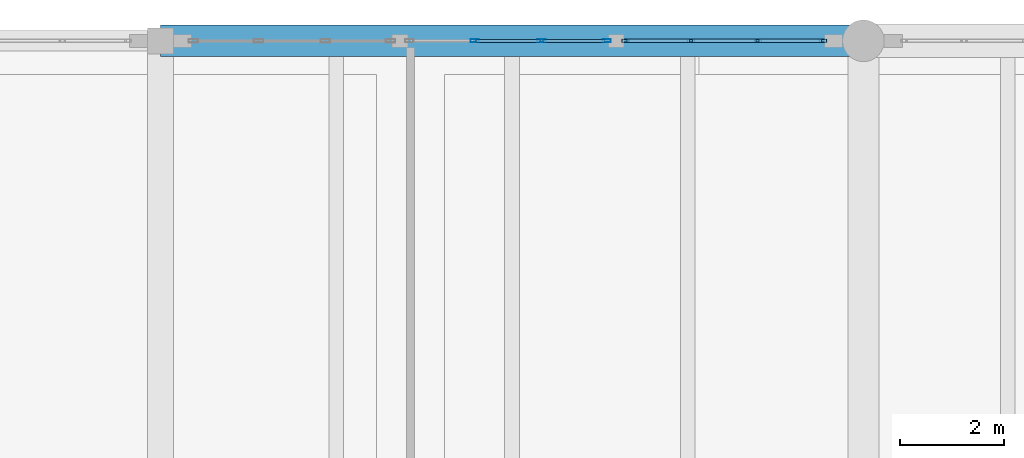
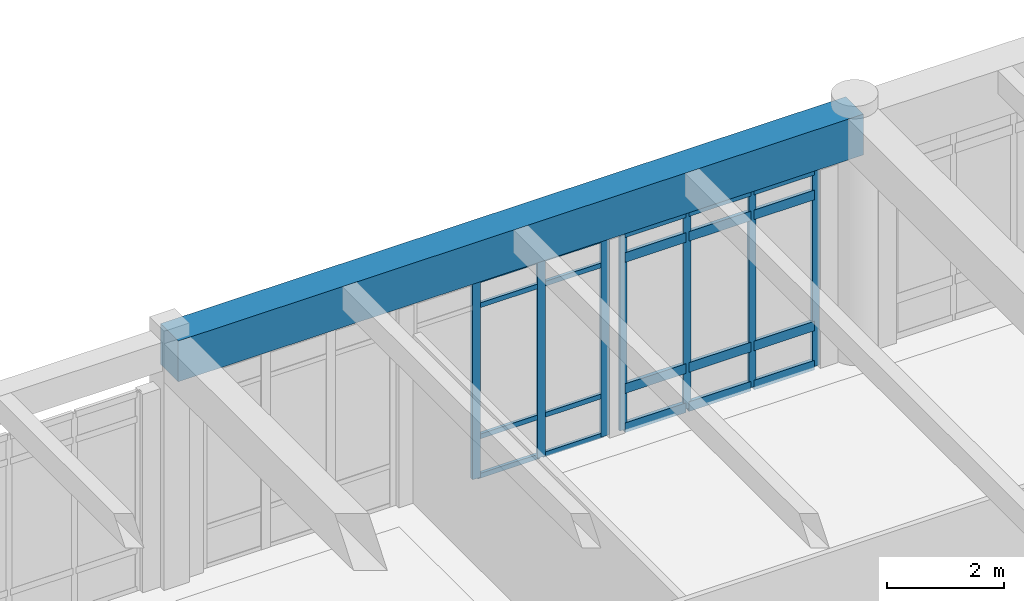
# One storey, part 62 of 138: 27 members, 1 beam, 2 elements without a shape of their own.
"""IFC4 building model written with IfcOpenShell, lengths in metres."""

from ifc_helpers import new_model, si_unit, direction, frame, origin, origin_2d, place, context, subcontext, project, spatial, rectangle, hollow_rectangle, extrude, material, layer, layer_set, material_profile, profile_set, type_object, element, aggregate, save


model = new_model("IFC4")

# Units and contexts
model_context = context("Model", 3, precision=1e-05, world=origin(), true_north=direction((0.0, 1.0)))
body_context = subcontext(model_context, "Body", "Model", "MODEL_VIEW")
ifc_project = project(units=[si_unit("LENGTHUNIT", "METRE"), si_unit("AREAUNIT", "SQUARE_METRE"), si_unit("VOLUMEUNIT", "CUBIC_METRE"), si_unit("PLANEANGLEUNIT", "RADIAN"), si_unit("MASSUNIT", "GRAM", prefix="KILO")], contexts=[model_context])

# Site, building, storey
site_placement = place(None, origin())
site = spatial("IfcSite", under=ifc_project, at=site_placement, CompositionType="ELEMENT")
building_placement = place(site_placement, origin())
building = spatial("IfcBuilding", under=site, at=building_placement, Name="Fikremerkos Civic Library", CompositionType="ELEMENT")
storey_placement = place(building_placement, origin())
storey = spatial("IfcBuildingStorey", under=building, at=storey_placement, Name="L00", CompositionType="ELEMENT", Elevation=0.0)

# Curtain wall, members
ifc_material_1 = material(Name="Anodized aluminium Frame", Category="aluminium")
ifc_layer_1 = layer(ifc_material_1, 0.159912109375, Name="Anodized aluminium Frame")
ifc_layer_set_1 = layer_set([ifc_layer_1], Name="Anodized aluminium Frame")
curtain_wall_type_1 = type_object("IfcCurtainWallType", Name="Unitised curtain wall CW-14 4100x3200", PredefinedType="USERDEFINED", material=ifc_layer_set_1)
curtain_wall_1_placement = place(storey_placement, origin())
curtain_wall_1 = element("IfcCurtainWall", 1, at=curtain_wall_1_placement, inside=storey, type_object=curtain_wall_type_1, Name="Unitised curtain wall CW-14 L00 #50", ObjectType="UNITISED CURTAIN WALL", PredefinedType="USERDEFINED")
ifc_material_profile_1 = material_profile(ifc_material_1, hollow_rectangle(XDim=0.06005859375, YDim=0.159912109375, WallThickness=0.00390625, at=origin_2d()), Name="ALU 160x60x4")
ifc_profile_set_1 = profile_set([ifc_material_profile_1], Name="Anodized aluminium Frame")
member_type_1 = type_object("IfcMemberType", Name="Curtain mullion CWM-02 ALU 160x60x4", PredefinedType="MULLION", material=ifc_profile_set_1)
member_1_placement = place(storey_placement, frame((106.233154296875, 117.60009765625, 0.0), z_axis=(0.0, 0.0, 1.0), x_axis=(0.0, 1.0, 0.0)))
member_1 = element("IfcMember", 2, at=member_1_placement, type_object=member_type_1, Name="CW-14 mullion 2", PredefinedType="MULLION", context=body_context, shape_type="SweptSolid", body=[
    extrude(hollow_rectangle(XDim=0.06005859375, YDim=0.159912109375, WallThickness=0.00390625, at=origin_2d()), origin(), (0.0, 0.0, 1.0), 4.1298828125),
])
member_2_placement = place(storey_placement, frame((107.516845703125, 117.60009765625, 0.0), z_axis=(0.0, 0.0, 1.0), x_axis=(0.0, 1.0, 0.0)))
member_2 = element("IfcMember", 3, at=member_2_placement, type_object=member_type_1, Name="CW-14 mullion 3", PredefinedType="MULLION", context=body_context, shape_type="SweptSolid", body=[
    extrude(hollow_rectangle(XDim=0.06005859375, YDim=0.159912109375, WallThickness=0.00390625, at=origin_2d()), origin(), (0.0, 0.0, 1.0), 4.1298828125),
])
member_3_placement = place(storey_placement, frame((108.770751953125, 117.60009765625, 0.0), z_axis=(0.0, 0.0, 1.0), x_axis=(0.0, 1.0, 0.0)))
member_3 = element("IfcMember", 4, at=member_3_placement, type_object=member_type_1, Name="CW-14 mullion 4", PredefinedType="MULLION", context=body_context, shape_type="SweptSolid", body=[
    extrude(hollow_rectangle(XDim=0.06005859375, YDim=0.159912109375, WallThickness=0.00390625, at=origin_2d()), origin(), (0.0, 0.0, 1.0), 4.1298828125),
])

ifc_layer_2 = layer(ifc_material_1, 0.159912109375, Name="Anodized aluminium Frame")
ifc_layer_set_2 = layer_set([ifc_layer_2], Name="Anodized aluminium Frame")
curtain_wall_type_2 = type_object("IfcCurtainWallType", Name="Unitised curtain wall CW-15 2900x3600", PredefinedType="USERDEFINED", material=ifc_layer_set_2)
curtain_wall_2_placement = place(storey_placement, origin())
curtain_wall_2 = element("IfcCurtainWall", 5, at=curtain_wall_2_placement, inside=storey, type_object=curtain_wall_type_2, Name="Unitised curtain wall CW-15 L00 #51", ObjectType="UNITISED CURTAIN WALL", PredefinedType="USERDEFINED")
ifc_material_profile_2 = material_profile(ifc_material_1, hollow_rectangle(XDim=0.06005859375, YDim=0.139892578125, WallThickness=0.00390625, at=origin_2d()), Name="ALU 140x60x4")
ifc_profile_set_2 = profile_set([ifc_material_profile_2], Name="Anodized aluminium Frame")
member_type_2 = type_object("IfcMemberType", Name="Curtain mullion CWM-03 ALU 140x60x4", PredefinedType="MULLION", material=ifc_profile_set_2)
member_4_placement = place(storey_placement, frame((109.130615234375, 117.60009765625, 0.0), z_axis=(0.0, 0.0, 1.0), x_axis=(0.0, 1.0, 0.0)))
member_4 = element("IfcMember", 6, at=member_4_placement, type_object=member_type_2, Name="CW-15 mullion 1", PredefinedType="MULLION", context=body_context, shape_type="SweptSolid", body=[
    extrude(hollow_rectangle(XDim=0.06005859375, YDim=0.139892578125, WallThickness=0.00390625, at=origin_2d()), origin(), (0.0, 0.0, 1.0), 4.1298828125),
])
member_5_placement = place(storey_placement, frame((110.384521484375, 117.60009765625, 0.0), z_axis=(0.0, 0.0, 1.0), x_axis=(0.0, 1.0, 0.0)))
member_5 = element("IfcMember", 7, at=member_5_placement, type_object=member_type_2, Name="CW-15 mullion 2", PredefinedType="MULLION", context=body_context, shape_type="SweptSolid", body=[
    extrude(hollow_rectangle(XDim=0.06005859375, YDim=0.139892578125, WallThickness=0.00390625, at=origin_2d()), origin(), (0.0, 0.0, 1.0), 4.1298828125),
])
member_6_placement = place(storey_placement, frame((111.668212890625, 117.60009765625, 0.0), z_axis=(0.0, 0.0, 1.0), x_axis=(0.0, 1.0, 0.0)))
member_6 = element("IfcMember", 8, at=member_6_placement, type_object=member_type_2, Name="CW-15 mullion 3", PredefinedType="MULLION", context=body_context, shape_type="SweptSolid", body=[
    extrude(hollow_rectangle(XDim=0.06005859375, YDim=0.139892578125, WallThickness=0.00390625, at=origin_2d()), origin(), (0.0, 0.0, 1.0), 4.1298828125),
])
member_7_placement = place(storey_placement, frame((112.922119140625, 117.60009765625, 0.0), z_axis=(0.0, 0.0, 1.0), x_axis=(0.0, 1.0, 0.0)))
member_7 = element("IfcMember", 9, at=member_7_placement, type_object=member_type_2, Name="CW-15 mullion 4", PredefinedType="MULLION", context=body_context, shape_type="SweptSolid", body=[
    extrude(hollow_rectangle(XDim=0.06005859375, YDim=0.139892578125, WallThickness=0.00390625, at=origin_2d()), origin(), (0.0, 0.0, 1.0), 4.1298828125),
])

# Member
ifc_material_profile_3 = material_profile(ifc_material_1, hollow_rectangle(XDim=0.06005859375, YDim=0.10009765625, WallThickness=0.00390625, at=origin_2d()), Name="ALU 100x60x4")
ifc_profile_set_3 = profile_set([ifc_material_profile_3], Name="Anodized aluminium Frame")
member_type_3 = type_object("IfcMemberType", Name="Curtain transom CWT-03 ALU 100x60x4", PredefinedType="USERDEFINED", material=ifc_profile_set_3)
member_8_placement = place(storey_placement, frame((106.26318359375, 117.60009765625, 0.030029296875), z_axis=(1.0, 0.0, 0.0), x_axis=(0.0, 1.0, 0.0)))
member_8 = element("IfcMember", 10, at=member_8_placement, type_object=member_type_3, Name="CW-14 transom 2.1", ObjectType="TRANSOM", PredefinedType="USERDEFINED", context=body_context, shape_type="SweptSolid", body=[
    extrude(hollow_rectangle(XDim=0.06005859375, YDim=0.10009765625, WallThickness=0.00390625, at=origin_2d()), origin(), (0.0, 0.0, 1.0), 1.2236328125),
])

member_9_placement = place(storey_placement, frame((106.26318359375, 117.60009765625, 0.85009765625), z_axis=(1.0, 0.0, 0.0), x_axis=(0.0, 1.0, 0.0)))
member_9 = element("IfcMember", 11, at=member_9_placement, type_object=member_type_3, Name="CW-14 transom 2.2", ObjectType="TRANSOM", PredefinedType="USERDEFINED", context=body_context, shape_type="SweptSolid", body=[
    extrude(hollow_rectangle(XDim=0.06005859375, YDim=0.10009765625, WallThickness=0.00390625, at=origin_2d()), origin(), (0.0, 0.0, 1.0), 1.2236328125),
])

member_10_placement = place(storey_placement, frame((106.26318359375, 117.60009765625, 3.580078125), z_axis=(1.0, 0.0, 0.0), x_axis=(0.0, 1.0, 0.0)))
member_10 = element("IfcMember", 12, at=member_10_placement, type_object=member_type_3, Name="CW-14 transom 2.3", ObjectType="TRANSOM", PredefinedType="USERDEFINED", context=body_context, shape_type="SweptSolid", body=[
    extrude(hollow_rectangle(XDim=0.06005859375, YDim=0.10009765625, WallThickness=0.00390625, at=origin_2d()), origin(), (0.0, 0.0, 1.0), 1.2236328125),
])

member_11_placement = place(storey_placement, frame((106.26318359375, 117.60009765625, 4.10009765625), z_axis=(1.0, 0.0, 0.0), x_axis=(0.0, 1.0, 0.0)))
member_11 = element("IfcMember", 13, at=member_11_placement, type_object=member_type_3, Name="CW-14 transom 2.4", ObjectType="TRANSOM", PredefinedType="USERDEFINED", context=body_context, shape_type="SweptSolid", body=[
    extrude(hollow_rectangle(XDim=0.06005859375, YDim=0.10009765625, WallThickness=0.00390625, at=origin_2d()), origin(), (0.0, 0.0, 1.0), 1.2236328125),
])

member_12_placement = place(storey_placement, frame((107.546875, 117.60009765625, 0.030029296875), z_axis=(1.0, 0.0, 0.0), x_axis=(0.0, 1.0, 0.0)))
member_12 = element("IfcMember", 14, at=member_12_placement, type_object=member_type_3, Name="CW-14 transom 3.1", ObjectType="TRANSOM", PredefinedType="USERDEFINED", context=body_context, shape_type="SweptSolid", body=[
    extrude(hollow_rectangle(XDim=0.06005859375, YDim=0.10009765625, WallThickness=0.00390625, at=origin_2d()), origin(), (0.0, 0.0, 1.0), 1.19384765625),
])

member_13_placement = place(storey_placement, frame((107.546875, 117.60009765625, 0.85009765625), z_axis=(1.0, 0.0, 0.0), x_axis=(0.0, 1.0, 0.0)))
member_13 = element("IfcMember", 15, at=member_13_placement, type_object=member_type_3, Name="CW-14 transom 3.2", ObjectType="TRANSOM", PredefinedType="USERDEFINED", context=body_context, shape_type="SweptSolid", body=[
    extrude(hollow_rectangle(XDim=0.06005859375, YDim=0.10009765625, WallThickness=0.00390625, at=origin_2d()), origin(), (0.0, 0.0, 1.0), 1.19384765625),
])

member_14_placement = place(storey_placement, frame((107.546875, 117.60009765625, 3.580078125), z_axis=(1.0, 0.0, 0.0), x_axis=(0.0, 1.0, 0.0)))
member_14 = element("IfcMember", 16, at=member_14_placement, type_object=member_type_3, Name="CW-14 transom 3.3", ObjectType="TRANSOM", PredefinedType="USERDEFINED", context=body_context, shape_type="SweptSolid", body=[
    extrude(hollow_rectangle(XDim=0.06005859375, YDim=0.10009765625, WallThickness=0.00390625, at=origin_2d()), origin(), (0.0, 0.0, 1.0), 1.19384765625),
])

member_15_placement = place(storey_placement, frame((107.546875, 117.60009765625, 4.10009765625), z_axis=(1.0, 0.0, 0.0), x_axis=(0.0, 1.0, 0.0)))
member_15 = element("IfcMember", 17, at=member_15_placement, type_object=member_type_3, Name="CW-14 transom 3.4", ObjectType="TRANSOM", PredefinedType="USERDEFINED", context=body_context, shape_type="SweptSolid", body=[
    extrude(hollow_rectangle(XDim=0.06005859375, YDim=0.10009765625, WallThickness=0.00390625, at=origin_2d()), origin(), (0.0, 0.0, 1.0), 1.19384765625),
])

aggregate(curtain_wall_1, [member_1, member_2, member_3, member_8, member_9, member_10, member_11, member_12, member_13, member_14, member_15])

ifc_material_profile_4 = material_profile(ifc_material_1, hollow_rectangle(XDim=0.070068359375, YDim=0.199951171875, WallThickness=0.0048828125, at=origin_2d()), Name="ALU 200x70x5")
ifc_profile_set_4 = profile_set([ifc_material_profile_4], Name="Anodized aluminium Frame")
member_type_4 = type_object("IfcMemberType", Name="Curtain transom CWT-04 ALU 200x70x5", PredefinedType="USERDEFINED", material=ifc_profile_set_4)
member_16_placement = place(storey_placement, frame((109.16064453125, 117.60009765625, 0.034912109375), z_axis=(1.0, 0.0, 0.0), x_axis=(0.0, 1.0, 0.0)))
member_16 = element("IfcMember", 18, at=member_16_placement, type_object=member_type_4, Name="CW-15 transom 1.1", ObjectType="TRANSOM", PredefinedType="USERDEFINED", context=body_context, shape_type="SweptSolid", body=[
    extrude(hollow_rectangle(XDim=0.070068359375, YDim=0.199951171875, WallThickness=0.0048828125, at=origin_2d()), origin(), (0.0, 0.0, 1.0), 1.19384765625),
])

member_17_placement = place(storey_placement, frame((109.16064453125, 117.60009765625, 0.85009765625), z_axis=(1.0, 0.0, 0.0), x_axis=(0.0, 1.0, 0.0)))
member_17 = element("IfcMember", 19, at=member_17_placement, type_object=member_type_4, Name="CW-15 transom 1.2", ObjectType="TRANSOM", PredefinedType="USERDEFINED", context=body_context, shape_type="SweptSolid", body=[
    extrude(hollow_rectangle(XDim=0.070068359375, YDim=0.199951171875, WallThickness=0.0048828125, at=origin_2d()), origin(), (0.0, 0.0, 1.0), 1.19384765625),
])

member_18_placement = place(storey_placement, frame((109.16064453125, 117.60009765625, 3.580078125), z_axis=(1.0, 0.0, 0.0), x_axis=(0.0, 1.0, 0.0)))
member_18 = element("IfcMember", 20, at=member_18_placement, type_object=member_type_4, Name="CW-15 transom 1.3", ObjectType="TRANSOM", PredefinedType="USERDEFINED", context=body_context, shape_type="SweptSolid", body=[
    extrude(hollow_rectangle(XDim=0.070068359375, YDim=0.199951171875, WallThickness=0.0048828125, at=origin_2d()), origin(), (0.0, 0.0, 1.0), 1.19384765625),
])

member_19_placement = place(storey_placement, frame((109.16064453125, 117.60009765625, 4.094970703125), z_axis=(1.0, 0.0, 0.0), x_axis=(0.0, 1.0, 0.0)))
member_19 = element("IfcMember", 21, at=member_19_placement, type_object=member_type_4, Name="CW-15 transom 1.4", ObjectType="TRANSOM", PredefinedType="USERDEFINED", context=body_context, shape_type="SweptSolid", body=[
    extrude(hollow_rectangle(XDim=0.070068359375, YDim=0.199951171875, WallThickness=0.0048828125, at=origin_2d()), origin(), (0.0, 0.0, 1.0), 1.19384765625),
])

member_20_placement = place(storey_placement, frame((110.41455078125, 117.60009765625, 0.034912109375), z_axis=(1.0, 0.0, 0.0), x_axis=(0.0, 1.0, 0.0)))
member_20 = element("IfcMember", 22, at=member_20_placement, type_object=member_type_4, Name="CW-15 transom 2.1", ObjectType="TRANSOM", PredefinedType="USERDEFINED", context=body_context, shape_type="SweptSolid", body=[
    extrude(hollow_rectangle(XDim=0.070068359375, YDim=0.199951171875, WallThickness=0.0048828125, at=origin_2d()), origin(), (0.0, 0.0, 1.0), 1.2236328125),
])

member_21_placement = place(storey_placement, frame((110.41455078125, 117.60009765625, 0.85009765625), z_axis=(1.0, 0.0, 0.0), x_axis=(0.0, 1.0, 0.0)))
member_21 = element("IfcMember", 23, at=member_21_placement, type_object=member_type_4, Name="CW-15 transom 2.2", ObjectType="TRANSOM", PredefinedType="USERDEFINED", context=body_context, shape_type="SweptSolid", body=[
    extrude(hollow_rectangle(XDim=0.070068359375, YDim=0.199951171875, WallThickness=0.0048828125, at=origin_2d()), origin(), (0.0, 0.0, 1.0), 1.2236328125),
])

member_22_placement = place(storey_placement, frame((110.41455078125, 117.60009765625, 3.580078125), z_axis=(1.0, 0.0, 0.0), x_axis=(0.0, 1.0, 0.0)))
member_22 = element("IfcMember", 24, at=member_22_placement, type_object=member_type_4, Name="CW-15 transom 2.3", ObjectType="TRANSOM", PredefinedType="USERDEFINED", context=body_context, shape_type="SweptSolid", body=[
    extrude(hollow_rectangle(XDim=0.070068359375, YDim=0.199951171875, WallThickness=0.0048828125, at=origin_2d()), origin(), (0.0, 0.0, 1.0), 1.2236328125),
])

member_23_placement = place(storey_placement, frame((110.41455078125, 117.60009765625, 4.094970703125), z_axis=(1.0, 0.0, 0.0), x_axis=(0.0, 1.0, 0.0)))
member_23 = element("IfcMember", 25, at=member_23_placement, type_object=member_type_4, Name="CW-15 transom 2.4", ObjectType="TRANSOM", PredefinedType="USERDEFINED", context=body_context, shape_type="SweptSolid", body=[
    extrude(hollow_rectangle(XDim=0.070068359375, YDim=0.199951171875, WallThickness=0.0048828125, at=origin_2d()), origin(), (0.0, 0.0, 1.0), 1.2236328125),
])

member_24_placement = place(storey_placement, frame((111.6982421875, 117.60009765625, 0.034912109375), z_axis=(1.0, 0.0, 0.0), x_axis=(0.0, 1.0, 0.0)))
member_24 = element("IfcMember", 26, at=member_24_placement, type_object=member_type_4, Name="CW-15 transom 3.1", ObjectType="TRANSOM", PredefinedType="USERDEFINED", context=body_context, shape_type="SweptSolid", body=[
    extrude(hollow_rectangle(XDim=0.070068359375, YDim=0.199951171875, WallThickness=0.0048828125, at=origin_2d()), origin(), (0.0, 0.0, 1.0), 1.19384765625),
])

member_25_placement = place(storey_placement, frame((111.6982421875, 117.60009765625, 0.85009765625), z_axis=(1.0, 0.0, 0.0), x_axis=(0.0, 1.0, 0.0)))
member_25 = element("IfcMember", 27, at=member_25_placement, type_object=member_type_4, Name="CW-15 transom 3.2", ObjectType="TRANSOM", PredefinedType="USERDEFINED", context=body_context, shape_type="SweptSolid", body=[
    extrude(hollow_rectangle(XDim=0.070068359375, YDim=0.199951171875, WallThickness=0.0048828125, at=origin_2d()), origin(), (0.0, 0.0, 1.0), 1.19384765625),
])

member_26_placement = place(storey_placement, frame((111.6982421875, 117.60009765625, 3.580078125), z_axis=(1.0, 0.0, 0.0), x_axis=(0.0, 1.0, 0.0)))
member_26 = element("IfcMember", 28, at=member_26_placement, type_object=member_type_4, Name="CW-15 transom 3.3", ObjectType="TRANSOM", PredefinedType="USERDEFINED", context=body_context, shape_type="SweptSolid", body=[
    extrude(hollow_rectangle(XDim=0.070068359375, YDim=0.199951171875, WallThickness=0.0048828125, at=origin_2d()), origin(), (0.0, 0.0, 1.0), 1.19384765625),
])

member_27_placement = place(storey_placement, frame((111.6982421875, 117.60009765625, 4.094970703125), z_axis=(1.0, 0.0, 0.0), x_axis=(0.0, 1.0, 0.0)))
member_27 = element("IfcMember", 29, at=member_27_placement, type_object=member_type_4, Name="CW-15 transom 3.4", ObjectType="TRANSOM", PredefinedType="USERDEFINED", context=body_context, shape_type="SweptSolid", body=[
    extrude(hollow_rectangle(XDim=0.070068359375, YDim=0.199951171875, WallThickness=0.0048828125, at=origin_2d()), origin(), (0.0, 0.0, 1.0), 1.19384765625),
])

aggregate(curtain_wall_2, [member_4, member_5, member_6, member_7, member_16, member_17, member_18, member_19, member_20, member_21, member_22, member_23, member_24, member_25, member_26, member_27])

# Beam
ifc_material_2 = material(Name="Concrete C40/50", Category="concrete")
ifc_material_profile_5 = material_profile(ifc_material_2, rectangle(XDim=0.60009765625, YDim=0.85009765625, at=origin_2d()), Name="RC 600x850")
ifc_profile_set_5 = profile_set([ifc_material_profile_5], Name="Concrete C40/50")
beam_type = type_object("IfcBeamType", Name="Primary girder BM-24 RC 600x850", PredefinedType="BEAM", material=ifc_profile_set_5)
beam_placement = place(storey_placement, frame((100.199951171875, 117.60009765625, 4.715087890625), z_axis=(1.0, 0.0, 0.0), x_axis=(0.0, 1.0, 0.0)))
element("IfcBeam", 30, at=beam_placement, inside=storey, type_object=beam_type, Name="Primary girder BM-24 L00 grid N", PredefinedType="BEAM", context=body_context, shape_type="SweptSolid", body=[
    extrude(rectangle(XDim=0.60009765625, YDim=0.85009765625, at=origin_2d()), origin(), (0.0, 0.0, 1.0), 13.5),
])

save(model, "model.ifc")
